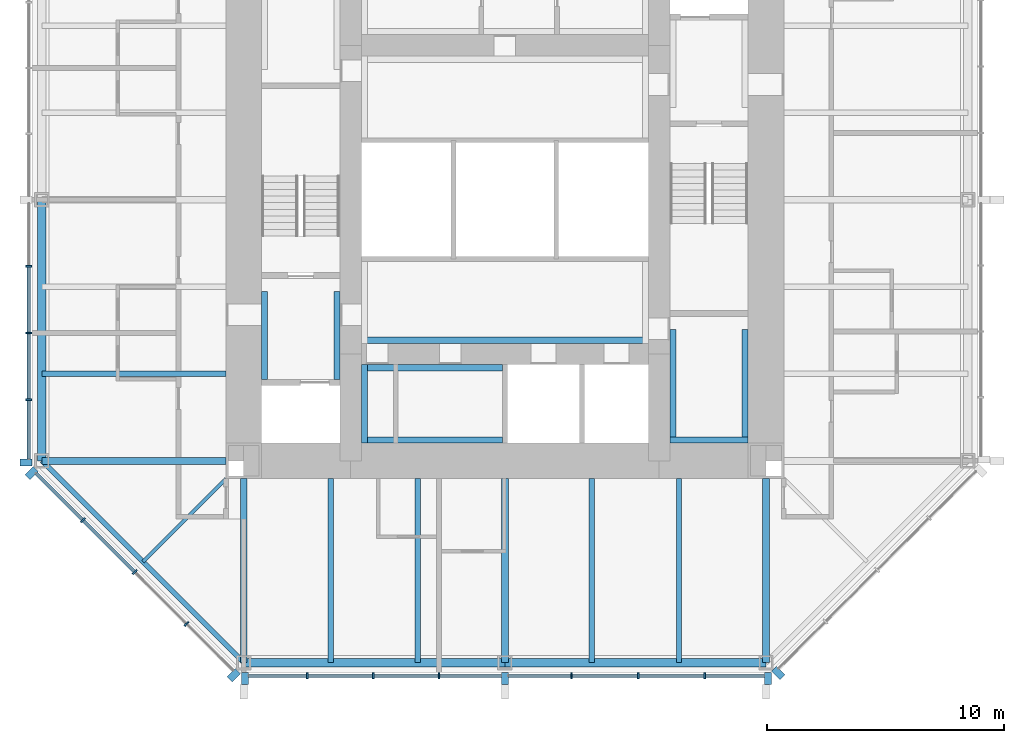
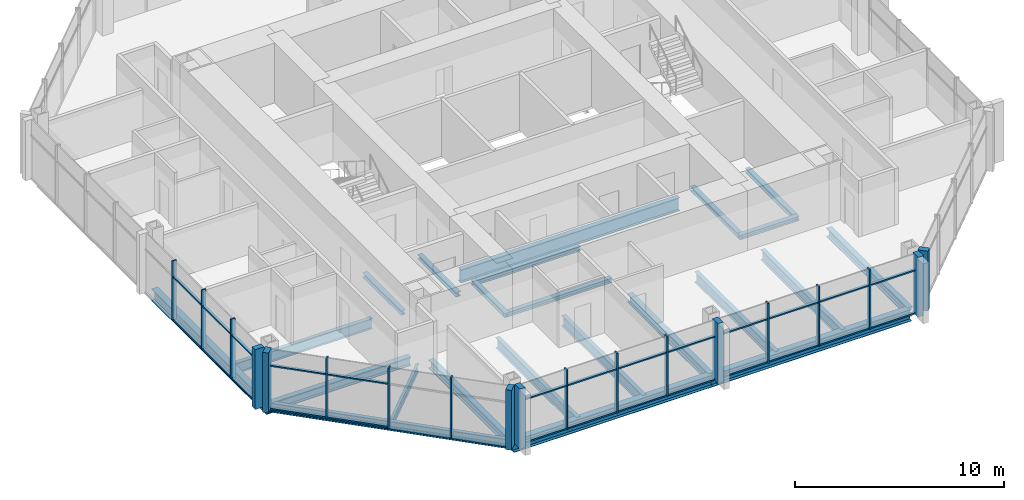
# One storey, part 2 of 11: 45 members, 23 beams, 4 elements without a shape of their own.
"""IFC4 building model written with IfcOpenShell, lengths in metres."""

from ifc_helpers import new_model, si_unit, direction, frame, origin, origin_2d, place, context, subcontext, project, spatial, rectangle, i_section, extrude, material, material_profile, profile_set, type_object, element, aggregate, save


model = new_model("IFC4")

# Units and contexts
model_context = context("Model", 3, precision=1e-05, world=origin(), true_north=direction((0.0, 1.0)))
body_context = subcontext(model_context, "Body", "Model", "MODEL_VIEW")
ifc_project = project(units=[si_unit("LENGTHUNIT", "METRE"), si_unit("AREAUNIT", "SQUARE_METRE"), si_unit("VOLUMEUNIT", "CUBIC_METRE"), si_unit("PLANEANGLEUNIT", "RADIAN"), si_unit("MASSUNIT", "GRAM", prefix="KILO")], contexts=[model_context])

# Site, building, storey
site_placement = place(None, origin())
site = spatial("IfcSite", under=ifc_project, at=site_placement, CompositionType="ELEMENT")
building_placement = place(site_placement, origin())
building = spatial("IfcBuilding", under=site, at=building_placement, Name="Trevanion Tower", CompositionType="ELEMENT")
storey_placement = place(building_placement, frame((0.0, 0.0, 222.199951171875)))
storey = spatial("IfcBuildingStorey", under=building, at=storey_placement, Name="L53", CompositionType="ELEMENT", Elevation=222.199951171875)

# Beams
ifc_material_1 = material(Name="Steel ASTM A992 Grade 50", Category="steel")
ifc_material_profile_1 = material_profile(ifc_material_1, i_section(OverallWidth=0.228271484375, OverallDepth=0.607177734375, WebThickness=0.01123046875, FlangeThickness=0.017333984375, at=origin_2d()), Name="W24X76")
ifc_profile_set_1 = profile_set([ifc_material_profile_1], Name="Steel ASTM A992 Grade 50")
beam_type_1 = type_object("IfcBeamType", Name="B11 W24X76", PredefinedType="BEAM", material=ifc_profile_set_1)
for number, where, z_axis, x_axis, name in (
    (1, (-11.75, -7.333251953125, -0.493408203125), (-1.0, 0.0, 0.0), (0.0, -1.0, 0.0), "B11 L53"),
    (2, (-7.333251953125, -11.75, -0.493408203125), (0.0, -1.0, 0.0), (1.0, 0.0, 0.0), "B11 L53"),
    (3, (-3.666748046875, -11.75, -0.493408203125), (0.0, -1.0, 0.0), (1.0, 0.0, 0.0), "B11 L53"),
    (4, (3.666748046875, -11.75, -0.493408203125), (0.0, -1.0, 0.0), (1.0, 0.0, 0.0), "B11 L53"),
    (5, (7.333251953125, -11.75, -0.493408203125), (0.0, -1.0, 0.0), (1.0, 0.0, 0.0), "B11 L53"),
):
    element("IfcBeam", number, at=place(storey_placement, frame(where, z_axis=z_axis, x_axis=x_axis)), inside=storey, type_object=beam_type_1, Name=name, PredefinedType="BEAM", context=body_context, shape_type="SweptSolid", body=[
        extrude(i_section(OverallWidth=0.228271484375, OverallDepth=0.607177734375, WebThickness=0.01123046875, FlangeThickness=0.017333984375, at=origin_2d()), origin(), (0.0, 0.0, 1.0), 7.75),
    ])
ifc_material_2 = material(Name="Steel ASTM A992 Grade 50", Category="steel")
ifc_material_profile_2 = material_profile(ifc_material_2, i_section(OverallWidth=0.15234375, OverallDepth=0.449462890625, WebThickness=0.007568359375, FlangeThickness=0.0107421875, at=origin_2d()), Name="W18X35")
ifc_profile_set_2 = profile_set([ifc_material_profile_2], Name="Steel ASTM A992 Grade 50")
beam_type_2 = type_object("IfcBeamType", Name="B12 W18X35", PredefinedType="BEAM", material=ifc_profile_set_2)
beam_1_placement = place(storey_placement, frame((-11.75, -11.75, -0.414794921875), z_axis=(-0.707106781187, -0.707106781187, 0.0), x_axis=(0.707106781187, -0.707106781187, 0.0)))
element("IfcBeam", 6, at=beam_1_placement, inside=storey, type_object=beam_type_2, Name="B12 L53", PredefinedType="BEAM", context=body_context, shape_type="SweptSolid", body=[
    extrude(i_section(OverallWidth=0.15234375, OverallDepth=0.449462890625, WebThickness=0.007568359375, FlangeThickness=0.0107421875, at=origin_2d()), origin(), (0.0, 0.0, 1.0), 4.94970703125),
])

# Curtain wall, members
ifc_material_3 = material(Name="Aluminium and glass", Category="aluminium")
curtain_wall_type = type_object("IfcCurtainWallType", Name="CW3 curtain wall", PredefinedType="USERDEFINED", material=ifc_material_3)
curtain_wall_1_placement = place(storey_placement, origin())
curtain_wall_1 = element("IfcCurtainWall", 7, at=curtain_wall_1_placement, inside=storey, type_object=curtain_wall_type, Name="CW3 L53 4", ObjectType="UNITISED CURTAIN WALL", PredefinedType="USERDEFINED")
ifc_material_4 = material(Name="Aluminium extrusion, anodised bronze", Category="aluminium")
ifc_material_profile_3 = material_profile(ifc_material_4, rectangle(XDim=0.074951171875, YDim=0.25, at=origin_2d()), Name="CW3 mullion")
ifc_profile_set_3 = profile_set([ifc_material_profile_3], Name="Aluminium extrusion, anodised bronze")
member_type_1 = type_object("IfcMemberType", Name="CW3 mullion", PredefinedType="MULLION", material=ifc_profile_set_3)
member_1_placement = place(storey_placement, frame((-20.050048828125, -2.806884765625, -0.18994140625), z_axis=(0.0, 0.0, 1.0), x_axis=(0.0, -1.0, 0.0)))
member_1 = element("IfcMember", 8, at=member_1_placement, type_object=member_type_1, Name="CW3 mullion 6", PredefinedType="MULLION", context=body_context, shape_type="SweptSolid", body=[
    extrude(rectangle(XDim=0.074951171875, YDim=0.25, at=origin_2d()), origin(), (0.0, 0.0, 1.0), 3.5),
])
member_2_placement = place(storey_placement, frame((-20.050048828125, -5.614013671875, -0.18994140625), z_axis=(0.0, 0.0, 1.0), x_axis=(0.0, -1.0, 0.0)))
member_2 = element("IfcMember", 9, at=member_2_placement, type_object=member_type_1, Name="CW3 mullion 7", PredefinedType="MULLION", context=body_context, shape_type="SweptSolid", body=[
    extrude(rectangle(XDim=0.074951171875, YDim=0.25, at=origin_2d()), origin(), (0.0, 0.0, 1.0), 3.5),
])
member_3_placement = place(storey_placement, frame((-20.050048828125, -8.4208984375, -0.18994140625), z_axis=(0.0, 0.0, 1.0), x_axis=(0.0, -1.0, 0.0)))
member_3 = element("IfcMember", 10, at=member_3_placement, type_object=member_type_1, Name="CW3 mullion 8", PredefinedType="MULLION", context=body_context, shape_type="SweptSolid", body=[
    extrude(rectangle(XDim=0.074951171875, YDim=0.25, at=origin_2d()), origin(), (0.0, 0.0, 1.0), 3.5),
])

curtain_wall_2_placement = place(storey_placement, origin())
curtain_wall_2 = element("IfcCurtainWall", 11, at=curtain_wall_2_placement, inside=storey, type_object=curtain_wall_type, Name="CW3 L53 5", ObjectType="UNITISED CURTAIN WALL", PredefinedType="USERDEFINED")
member_4_placement = place(storey_placement, frame((-17.775390625, -13.502197265625, -0.18994140625), z_axis=(0.0, 0.0, 1.0), x_axis=(0.707106781187, -0.707106781187, 0.0)))
member_4 = element("IfcMember", 12, at=member_4_placement, type_object=member_type_1, Name="CW3 mullion 2", PredefinedType="MULLION", context=body_context, shape_type="SweptSolid", body=[
    extrude(rectangle(XDim=0.074951171875, YDim=0.25, at=origin_2d()), origin(), (0.0, 0.0, 1.0), 3.5),
])
member_5_placement = place(storey_placement, frame((-15.593017578125, -15.684814453125, -0.18994140625), z_axis=(0.0, 0.0, 1.0), x_axis=(0.707106781187, -0.707106781187, 0.0)))
member_5 = element("IfcMember", 13, at=member_5_placement, type_object=member_type_1, Name="CW3 mullion 3", PredefinedType="MULLION", context=body_context, shape_type="SweptSolid", body=[
    extrude(rectangle(XDim=0.074951171875, YDim=0.25, at=origin_2d()), origin(), (0.0, 0.0, 1.0), 3.5),
])
member_6_placement = place(storey_placement, frame((-13.410400390625, -17.867431640625, -0.18994140625), z_axis=(0.0, 0.0, 1.0), x_axis=(0.707106781187, -0.707106781187, 0.0)))
member_6 = element("IfcMember", 14, at=member_6_placement, type_object=member_type_1, Name="CW3 mullion 4", PredefinedType="MULLION", context=body_context, shape_type="SweptSolid", body=[
    extrude(rectangle(XDim=0.074951171875, YDim=0.25, at=origin_2d()), origin(), (0.0, 0.0, 1.0), 3.5),
])

curtain_wall_3_placement = place(storey_placement, origin())
curtain_wall_3 = element("IfcCurtainWall", 15, at=curtain_wall_3_placement, inside=storey, type_object=curtain_wall_type, Name="CW3 L53 6", ObjectType="UNITISED CURTAIN WALL", PredefinedType="USERDEFINED")
member_7_placement = place(storey_placement, frame((-8.323486328125, -20.050048828125, -0.18994140625), z_axis=(0.0, 0.0, 1.0), x_axis=(1.0, 0.0, 0.0)))
member_7 = element("IfcMember", 16, at=member_7_placement, type_object=member_type_1, Name="CW3 mullion 2", PredefinedType="MULLION", context=body_context, shape_type="SweptSolid", body=[
    extrude(rectangle(XDim=0.074951171875, YDim=0.25, at=origin_2d()), origin(), (0.0, 0.0, 1.0), 3.5),
])
member_8_placement = place(storey_placement, frame((-5.548828125, -20.050048828125, -0.18994140625), z_axis=(0.0, 0.0, 1.0), x_axis=(1.0, 0.0, 0.0)))
member_8 = element("IfcMember", 17, at=member_8_placement, type_object=member_type_1, Name="CW3 mullion 3", PredefinedType="MULLION", context=body_context, shape_type="SweptSolid", body=[
    extrude(rectangle(XDim=0.074951171875, YDim=0.25, at=origin_2d()), origin(), (0.0, 0.0, 1.0), 3.5),
])
member_9_placement = place(storey_placement, frame((-2.7744140625, -20.050048828125, -0.18994140625), z_axis=(0.0, 0.0, 1.0), x_axis=(1.0, 0.0, 0.0)))
member_9 = element("IfcMember", 18, at=member_9_placement, type_object=member_type_1, Name="CW3 mullion 4", PredefinedType="MULLION", context=body_context, shape_type="SweptSolid", body=[
    extrude(rectangle(XDim=0.074951171875, YDim=0.25, at=origin_2d()), origin(), (0.0, 0.0, 1.0), 3.5),
])
member_10_placement = place(storey_placement, frame((2.806884765625, -20.050048828125, -0.18994140625), z_axis=(0.0, 0.0, 1.0), x_axis=(1.0, 0.0, 0.0)))
member_10 = element("IfcMember", 19, at=member_10_placement, type_object=member_type_1, Name="CW3 mullion 6", PredefinedType="MULLION", context=body_context, shape_type="SweptSolid", body=[
    extrude(rectangle(XDim=0.074951171875, YDim=0.25, at=origin_2d()), origin(), (0.0, 0.0, 1.0), 3.5),
])
member_11_placement = place(storey_placement, frame((5.614013671875, -20.050048828125, -0.18994140625), z_axis=(0.0, 0.0, 1.0), x_axis=(1.0, 0.0, 0.0)))
member_11 = element("IfcMember", 20, at=member_11_placement, type_object=member_type_1, Name="CW3 mullion 7", PredefinedType="MULLION", context=body_context, shape_type="SweptSolid", body=[
    extrude(rectangle(XDim=0.074951171875, YDim=0.25, at=origin_2d()), origin(), (0.0, 0.0, 1.0), 3.5),
])
member_12_placement = place(storey_placement, frame((8.4208984375, -20.050048828125, -0.18994140625), z_axis=(0.0, 0.0, 1.0), x_axis=(1.0, 0.0, 0.0)))
member_12 = element("IfcMember", 21, at=member_12_placement, type_object=member_type_1, Name="CW3 mullion 8", PredefinedType="MULLION", context=body_context, shape_type="SweptSolid", body=[
    extrude(rectangle(XDim=0.074951171875, YDim=0.25, at=origin_2d()), origin(), (0.0, 0.0, 1.0), 3.5),
])

# Member
ifc_material_5 = material(Name="Aluminium extrusion, anodised bronze", Category="aluminium")
ifc_material_profile_4 = material_profile(ifc_material_5, rectangle(XDim=0.300048828125, YDim=0.5, at=origin_2d()), Name="CW3 pier mullion")
ifc_profile_set_4 = profile_set([ifc_material_profile_4], Name="Aluminium extrusion, anodised bronze")
member_type_2 = type_object("IfcMemberType", Name="CW3 pier mullion", PredefinedType="MULLION", material=ifc_profile_set_4)
member_13_placement = place(storey_placement, frame((-20.175048828125, -11.077880859375, -0.18994140625), z_axis=(0.0, 0.0, 1.0), x_axis=(0.0, -1.0, 0.0)))
member_13 = element("IfcMember", 22, at=member_13_placement, type_object=member_type_2, Name="CW3 pier mullion 9", PredefinedType="MULLION", context=body_context, shape_type="SweptSolid", body=[
    extrude(rectangle(XDim=0.300048828125, YDim=0.5, at=origin_2d()), origin(), (0.0, 0.0, 1.0), 3.5),
])

member_14_placement = place(storey_placement, frame((-19.9404296875, -11.51416015625, -0.18994140625), z_axis=(0.0, 0.0, 1.0), x_axis=(0.707106781187, -0.707106781187, 0.0)))
member_14 = element("IfcMember", 23, at=member_14_placement, type_object=member_type_2, Name="CW3 pier mullion 1", PredefinedType="MULLION", context=body_context, shape_type="SweptSolid", body=[
    extrude(rectangle(XDim=0.300048828125, YDim=0.5, at=origin_2d()), origin(), (0.0, 0.0, 1.0), 3.5),
])

member_15_placement = place(storey_placement, frame((-11.42236328125, -20.0322265625, -0.18994140625), z_axis=(0.0, 0.0, 1.0), x_axis=(0.707106781187, -0.707106781187, 0.0)))
member_15 = element("IfcMember", 24, at=member_15_placement, type_object=member_type_2, Name="CW3 pier mullion 5", PredefinedType="MULLION", context=body_context, shape_type="SweptSolid", body=[
    extrude(rectangle(XDim=0.300048828125, YDim=0.5, at=origin_2d()), origin(), (0.0, 0.0, 1.0), 3.5),
])

member_16_placement = place(storey_placement, frame((-10.94775390625, -20.175048828125, -0.18994140625), z_axis=(0.0, 0.0, 1.0), x_axis=(1.0, 0.0, 0.0)))
member_16 = element("IfcMember", 25, at=member_16_placement, type_object=member_type_2, Name="CW3 pier mullion 1", PredefinedType="MULLION", context=body_context, shape_type="SweptSolid", body=[
    extrude(rectangle(XDim=0.300048828125, YDim=0.5, at=origin_2d()), origin(), (0.0, 0.0, 1.0), 3.5),
])

member_17_placement = place(storey_placement, frame((0.0, -20.175048828125, -0.18994140625), z_axis=(0.0, 0.0, 1.0), x_axis=(1.0, 0.0, 0.0)))
member_17 = element("IfcMember", 26, at=member_17_placement, type_object=member_type_2, Name="CW3 pier mullion 5", PredefinedType="MULLION", context=body_context, shape_type="SweptSolid", body=[
    extrude(rectangle(XDim=0.300048828125, YDim=0.5, at=origin_2d()), origin(), (0.0, 0.0, 1.0), 3.5),
])

member_18_placement = place(storey_placement, frame((11.077880859375, -20.175048828125, -0.18994140625), z_axis=(0.0, 0.0, 1.0), x_axis=(1.0, 0.0, 0.0)))
member_18 = element("IfcMember", 27, at=member_18_placement, type_object=member_type_2, Name="CW3 pier mullion 9", PredefinedType="MULLION", context=body_context, shape_type="SweptSolid", body=[
    extrude(rectangle(XDim=0.300048828125, YDim=0.5, at=origin_2d()), origin(), (0.0, 0.0, 1.0), 3.5),
])

# Curtain wall, member
curtain_wall_4_placement = place(storey_placement, origin())
curtain_wall_4 = element("IfcCurtainWall", 28, at=curtain_wall_4_placement, inside=storey, type_object=curtain_wall_type, Name="CW3 L53 7", ObjectType="UNITISED CURTAIN WALL", PredefinedType="USERDEFINED")
member_19_placement = place(storey_placement, frame((11.51416015625, -19.9404296875, -0.18994140625), z_axis=(0.0, 0.0, 1.0), x_axis=(0.707106781187, 0.707106781187, 0.0)))
member_19 = element("IfcMember", 29, at=member_19_placement, type_object=member_type_2, Name="CW3 pier mullion 1", PredefinedType="MULLION", context=body_context, shape_type="SweptSolid", body=[
    extrude(rectangle(XDim=0.300048828125, YDim=0.5, at=origin_2d()), origin(), (0.0, 0.0, 1.0), 3.5),
])
aggregate(curtain_wall_4, [member_19])

# Member
ifc_material_6 = material(Name="Aluminium extrusion, anodised bronze", Category="aluminium")
ifc_material_profile_5 = material_profile(ifc_material_6, rectangle(XDim=0.14990234375, YDim=0.074951171875, at=origin_2d()), Name="CW3 transom")
ifc_profile_set_5 = profile_set([ifc_material_profile_5], Name="Aluminium extrusion, anodised bronze")
member_type_3 = type_object("IfcMemberType", Name="CW3 transom", PredefinedType="USERDEFINED", material=ifc_profile_set_5)
member_20_placement = place(storey_placement, frame((-20.050048828125, -2.844482421875, -0.15234375), z_axis=(0.0, -1.0, 0.0), x_axis=(1.0, 0.0, 0.0)))
member_20 = element("IfcMember", 30, at=member_20_placement, type_object=member_type_3, Name="CW3 transom 6.1", ObjectType="TRANSOM", PredefinedType="USERDEFINED", context=body_context, shape_type="SweptSolid", body=[
    extrude(rectangle(XDim=0.14990234375, YDim=0.074951171875, at=origin_2d()), origin(), (0.0, 0.0, 1.0), 2.73193359375),
])

member_21_placement = place(storey_placement, frame((-20.050048828125, -2.844482421875, 2.360107421875), z_axis=(0.0, -1.0, 0.0), x_axis=(1.0, 0.0, 0.0)))
member_21 = element("IfcMember", 31, at=member_21_placement, type_object=member_type_3, Name="CW3 transom 6.2", ObjectType="TRANSOM", PredefinedType="USERDEFINED", context=body_context, shape_type="SweptSolid", body=[
    extrude(rectangle(XDim=0.14990234375, YDim=0.074951171875, at=origin_2d()), origin(), (0.0, 0.0, 1.0), 2.73193359375),
])

member_22_placement = place(storey_placement, frame((-20.050048828125, -5.6513671875, -0.15234375), z_axis=(0.0, -1.0, 0.0), x_axis=(1.0, 0.0, 0.0)))
member_22 = element("IfcMember", 32, at=member_22_placement, type_object=member_type_3, Name="CW3 transom 7.1", ObjectType="TRANSOM", PredefinedType="USERDEFINED", context=body_context, shape_type="SweptSolid", body=[
    extrude(rectangle(XDim=0.14990234375, YDim=0.074951171875, at=origin_2d()), origin(), (0.0, 0.0, 1.0), 2.73193359375),
])

member_23_placement = place(storey_placement, frame((-20.050048828125, -5.6513671875, 2.360107421875), z_axis=(0.0, -1.0, 0.0), x_axis=(1.0, 0.0, 0.0)))
member_23 = element("IfcMember", 33, at=member_23_placement, type_object=member_type_3, Name="CW3 transom 7.2", ObjectType="TRANSOM", PredefinedType="USERDEFINED", context=body_context, shape_type="SweptSolid", body=[
    extrude(rectangle(XDim=0.14990234375, YDim=0.074951171875, at=origin_2d()), origin(), (0.0, 0.0, 1.0), 2.73193359375),
])

member_24_placement = place(storey_placement, frame((-20.050048828125, -8.45849609375, -0.15234375), z_axis=(0.0, -1.0, 0.0), x_axis=(1.0, 0.0, 0.0)))
member_24 = element("IfcMember", 34, at=member_24_placement, type_object=member_type_3, Name="CW3 transom 8.1", ObjectType="TRANSOM", PredefinedType="USERDEFINED", context=body_context, shape_type="SweptSolid", body=[
    extrude(rectangle(XDim=0.14990234375, YDim=0.074951171875, at=origin_2d()), origin(), (0.0, 0.0, 1.0), 2.46923828125),
])

member_25_placement = place(storey_placement, frame((-20.050048828125, -8.45849609375, 2.360107421875), z_axis=(0.0, -1.0, 0.0), x_axis=(1.0, 0.0, 0.0)))
member_25 = element("IfcMember", 35, at=member_25_placement, type_object=member_type_3, Name="CW3 transom 8.2", ObjectType="TRANSOM", PredefinedType="USERDEFINED", context=body_context, shape_type="SweptSolid", body=[
    extrude(rectangle(XDim=0.14990234375, YDim=0.074951171875, at=origin_2d()), origin(), (0.0, 0.0, 1.0), 2.46923828125),
])

aggregate(curtain_wall_1, [member_1, member_2, member_3, member_13, member_20, member_21, member_22, member_23, member_24, member_25])

member_26_placement = place(storey_placement, frame((-19.745849609375, -11.531982421875, -0.15234375), z_axis=(0.707106781187, -0.707106781187, 0.0), x_axis=(0.707106781187, 0.707106781187, 0.0)))
member_26 = element("IfcMember", 36, at=member_26_placement, type_object=member_type_3, Name="CW3 transom 1.1", ObjectType="TRANSOM", PredefinedType="USERDEFINED", context=body_context, shape_type="SweptSolid", body=[
    extrude(rectangle(XDim=0.14990234375, YDim=0.074951171875, at=origin_2d()), origin(), (0.0, 0.0, 1.0), 2.7490234375),
])

member_27_placement = place(storey_placement, frame((-19.745849609375, -11.531982421875, 2.360107421875), z_axis=(0.707106781187, -0.707106781187, 0.0), x_axis=(0.707106781187, 0.707106781187, 0.0)))
member_27 = element("IfcMember", 37, at=member_27_placement, type_object=member_type_3, Name="CW3 transom 1.2", ObjectType="TRANSOM", PredefinedType="USERDEFINED", context=body_context, shape_type="SweptSolid", body=[
    extrude(rectangle(XDim=0.14990234375, YDim=0.074951171875, at=origin_2d()), origin(), (0.0, 0.0, 1.0), 2.7490234375),
])

member_28_placement = place(storey_placement, frame((-17.7490234375, -13.52880859375, -0.15234375), z_axis=(0.707106781187, -0.707106781187, 0.0), x_axis=(0.707106781187, 0.707106781187, 0.0)))
member_28 = element("IfcMember", 38, at=member_28_placement, type_object=member_type_3, Name="CW3 transom 2.1", ObjectType="TRANSOM", PredefinedType="USERDEFINED", context=body_context, shape_type="SweptSolid", body=[
    extrude(rectangle(XDim=0.14990234375, YDim=0.074951171875, at=origin_2d()), origin(), (0.0, 0.0, 1.0), 3.01171875),
])

member_29_placement = place(storey_placement, frame((-17.7490234375, -13.52880859375, 2.360107421875), z_axis=(0.707106781187, -0.707106781187, 0.0), x_axis=(0.707106781187, 0.707106781187, 0.0)))
member_29 = element("IfcMember", 39, at=member_29_placement, type_object=member_type_3, Name="CW3 transom 2.2", ObjectType="TRANSOM", PredefinedType="USERDEFINED", context=body_context, shape_type="SweptSolid", body=[
    extrude(rectangle(XDim=0.14990234375, YDim=0.074951171875, at=origin_2d()), origin(), (0.0, 0.0, 1.0), 3.01171875),
])

aggregate(curtain_wall_2, [member_14, member_4, member_5, member_6, member_15, member_26, member_27, member_28, member_29])

member_30_placement = place(storey_placement, frame((-10.7978515625, -20.050048828125, -0.15234375), z_axis=(1.0, 0.0, 0.0), x_axis=(0.0, 1.0, 0.0)))
member_30 = element("IfcMember", 40, at=member_30_placement, type_object=member_type_3, Name="CW3 transom 1.1", ObjectType="TRANSOM", PredefinedType="USERDEFINED", context=body_context, shape_type="SweptSolid", body=[
    extrude(rectangle(XDim=0.14990234375, YDim=0.074951171875, at=origin_2d()), origin(), (0.0, 0.0, 1.0), 2.43701171875),
])

member_31_placement = place(storey_placement, frame((-10.7978515625, -20.050048828125, 2.360107421875), z_axis=(1.0, 0.0, 0.0), x_axis=(0.0, 1.0, 0.0)))
member_31 = element("IfcMember", 41, at=member_31_placement, type_object=member_type_3, Name="CW3 transom 1.2", ObjectType="TRANSOM", PredefinedType="USERDEFINED", context=body_context, shape_type="SweptSolid", body=[
    extrude(rectangle(XDim=0.14990234375, YDim=0.074951171875, at=origin_2d()), origin(), (0.0, 0.0, 1.0), 2.43701171875),
])

member_32_placement = place(storey_placement, frame((-8.285888671875, -20.050048828125, -0.15234375), z_axis=(1.0, 0.0, 0.0), x_axis=(0.0, 1.0, 0.0)))
member_32 = element("IfcMember", 42, at=member_32_placement, type_object=member_type_3, Name="CW3 transom 2.1", ObjectType="TRANSOM", PredefinedType="USERDEFINED", context=body_context, shape_type="SweptSolid", body=[
    extrude(rectangle(XDim=0.14990234375, YDim=0.074951171875, at=origin_2d()), origin(), (0.0, 0.0, 1.0), 2.699462890625),
])

member_33_placement = place(storey_placement, frame((-8.285888671875, -20.050048828125, 2.360107421875), z_axis=(1.0, 0.0, 0.0), x_axis=(0.0, 1.0, 0.0)))
member_33 = element("IfcMember", 43, at=member_33_placement, type_object=member_type_3, Name="CW3 transom 2.2", ObjectType="TRANSOM", PredefinedType="USERDEFINED", context=body_context, shape_type="SweptSolid", body=[
    extrude(rectangle(XDim=0.14990234375, YDim=0.074951171875, at=origin_2d()), origin(), (0.0, 0.0, 1.0), 2.699462890625),
])

member_34_placement = place(storey_placement, frame((-5.511474609375, -20.050048828125, -0.15234375), z_axis=(1.0, 0.0, 0.0), x_axis=(0.0, 1.0, 0.0)))
member_34 = element("IfcMember", 44, at=member_34_placement, type_object=member_type_3, Name="CW3 transom 3.1", ObjectType="TRANSOM", PredefinedType="USERDEFINED", context=body_context, shape_type="SweptSolid", body=[
    extrude(rectangle(XDim=0.14990234375, YDim=0.074951171875, at=origin_2d()), origin(), (0.0, 0.0, 1.0), 2.699462890625),
])

member_35_placement = place(storey_placement, frame((-5.511474609375, -20.050048828125, 2.360107421875), z_axis=(1.0, 0.0, 0.0), x_axis=(0.0, 1.0, 0.0)))
member_35 = element("IfcMember", 45, at=member_35_placement, type_object=member_type_3, Name="CW3 transom 3.2", ObjectType="TRANSOM", PredefinedType="USERDEFINED", context=body_context, shape_type="SweptSolid", body=[
    extrude(rectangle(XDim=0.14990234375, YDim=0.074951171875, at=origin_2d()), origin(), (0.0, 0.0, 1.0), 2.699462890625),
])

member_36_placement = place(storey_placement, frame((-2.737060546875, -20.050048828125, -0.15234375), z_axis=(1.0, 0.0, 0.0), x_axis=(0.0, 1.0, 0.0)))
member_36 = element("IfcMember", 46, at=member_36_placement, type_object=member_type_3, Name="CW3 transom 4.1", ObjectType="TRANSOM", PredefinedType="USERDEFINED", context=body_context, shape_type="SweptSolid", body=[
    extrude(rectangle(XDim=0.14990234375, YDim=0.074951171875, at=origin_2d()), origin(), (0.0, 0.0, 1.0), 2.587158203125),
])

member_37_placement = place(storey_placement, frame((-2.737060546875, -20.050048828125, 2.360107421875), z_axis=(1.0, 0.0, 0.0), x_axis=(0.0, 1.0, 0.0)))
member_37 = element("IfcMember", 47, at=member_37_placement, type_object=member_type_3, Name="CW3 transom 4.2", ObjectType="TRANSOM", PredefinedType="USERDEFINED", context=body_context, shape_type="SweptSolid", body=[
    extrude(rectangle(XDim=0.14990234375, YDim=0.074951171875, at=origin_2d()), origin(), (0.0, 0.0, 1.0), 2.587158203125),
])

member_38_placement = place(storey_placement, frame((0.14990234375, -20.050048828125, -0.15234375), z_axis=(1.0, 0.0, 0.0), x_axis=(0.0, 1.0, 0.0)))
member_38 = element("IfcMember", 48, at=member_38_placement, type_object=member_type_3, Name="CW3 transom 5.1", ObjectType="TRANSOM", PredefinedType="USERDEFINED", context=body_context, shape_type="SweptSolid", body=[
    extrude(rectangle(XDim=0.14990234375, YDim=0.074951171875, at=origin_2d()), origin(), (0.0, 0.0, 1.0), 2.619384765625),
])

member_39_placement = place(storey_placement, frame((0.14990234375, -20.050048828125, 2.360107421875), z_axis=(1.0, 0.0, 0.0), x_axis=(0.0, 1.0, 0.0)))
member_39 = element("IfcMember", 49, at=member_39_placement, type_object=member_type_3, Name="CW3 transom 5.2", ObjectType="TRANSOM", PredefinedType="USERDEFINED", context=body_context, shape_type="SweptSolid", body=[
    extrude(rectangle(XDim=0.14990234375, YDim=0.074951171875, at=origin_2d()), origin(), (0.0, 0.0, 1.0), 2.619384765625),
])

member_40_placement = place(storey_placement, frame((2.844482421875, -20.050048828125, -0.15234375), z_axis=(1.0, 0.0, 0.0), x_axis=(0.0, 1.0, 0.0)))
member_40 = element("IfcMember", 50, at=member_40_placement, type_object=member_type_3, Name="CW3 transom 6.1", ObjectType="TRANSOM", PredefinedType="USERDEFINED", context=body_context, shape_type="SweptSolid", body=[
    extrude(rectangle(XDim=0.14990234375, YDim=0.074951171875, at=origin_2d()), origin(), (0.0, 0.0, 1.0), 2.73193359375),
])

member_41_placement = place(storey_placement, frame((2.844482421875, -20.050048828125, 2.360107421875), z_axis=(1.0, 0.0, 0.0), x_axis=(0.0, 1.0, 0.0)))
member_41 = element("IfcMember", 51, at=member_41_placement, type_object=member_type_3, Name="CW3 transom 6.2", ObjectType="TRANSOM", PredefinedType="USERDEFINED", context=body_context, shape_type="SweptSolid", body=[
    extrude(rectangle(XDim=0.14990234375, YDim=0.074951171875, at=origin_2d()), origin(), (0.0, 0.0, 1.0), 2.73193359375),
])

member_42_placement = place(storey_placement, frame((5.6513671875, -20.050048828125, -0.15234375), z_axis=(1.0, 0.0, 0.0), x_axis=(0.0, 1.0, 0.0)))
member_42 = element("IfcMember", 52, at=member_42_placement, type_object=member_type_3, Name="CW3 transom 7.1", ObjectType="TRANSOM", PredefinedType="USERDEFINED", context=body_context, shape_type="SweptSolid", body=[
    extrude(rectangle(XDim=0.14990234375, YDim=0.074951171875, at=origin_2d()), origin(), (0.0, 0.0, 1.0), 2.73193359375),
])

member_43_placement = place(storey_placement, frame((5.6513671875, -20.050048828125, 2.360107421875), z_axis=(1.0, 0.0, 0.0), x_axis=(0.0, 1.0, 0.0)))
member_43 = element("IfcMember", 53, at=member_43_placement, type_object=member_type_3, Name="CW3 transom 7.2", ObjectType="TRANSOM", PredefinedType="USERDEFINED", context=body_context, shape_type="SweptSolid", body=[
    extrude(rectangle(XDim=0.14990234375, YDim=0.074951171875, at=origin_2d()), origin(), (0.0, 0.0, 1.0), 2.73193359375),
])

member_44_placement = place(storey_placement, frame((8.45849609375, -20.050048828125, -0.15234375), z_axis=(1.0, 0.0, 0.0), x_axis=(0.0, 1.0, 0.0)))
member_44 = element("IfcMember", 54, at=member_44_placement, type_object=member_type_3, Name="CW3 transom 8.1", ObjectType="TRANSOM", PredefinedType="USERDEFINED", context=body_context, shape_type="SweptSolid", body=[
    extrude(rectangle(XDim=0.14990234375, YDim=0.074951171875, at=origin_2d()), origin(), (0.0, 0.0, 1.0), 2.46923828125),
])

member_45_placement = place(storey_placement, frame((8.45849609375, -20.050048828125, 2.360107421875), z_axis=(1.0, 0.0, 0.0), x_axis=(0.0, 1.0, 0.0)))
member_45 = element("IfcMember", 55, at=member_45_placement, type_object=member_type_3, Name="CW3 transom 8.2", ObjectType="TRANSOM", PredefinedType="USERDEFINED", context=body_context, shape_type="SweptSolid", body=[
    extrude(rectangle(XDim=0.14990234375, YDim=0.074951171875, at=origin_2d()), origin(), (0.0, 0.0, 1.0), 2.46923828125),
])

aggregate(curtain_wall_3, [member_16, member_7, member_8, member_9, member_17, member_10, member_11, member_12, member_18, member_30, member_31, member_32, member_33, member_34, member_35, member_36, member_37, member_38, member_39, member_40, member_41, member_42, member_43, member_44, member_45])

# Beams
ifc_material_7 = material(Name="Steel ASTM A992 Grade 50", Category="steel")
ifc_material_profile_6 = material_profile(ifc_material_7, i_section(OverallWidth=0.28955078125, OverallDepth=0.508056640625, WebThickness=0.022705078125, FlangeThickness=0.040283203125, at=origin_2d()), Name="W18X175")
ifc_profile_set_6 = profile_set([ifc_material_profile_6], Name="Steel ASTM A992 Grade 50")
beam_type_3 = type_object("IfcBeamType", Name="G6 W18X175", PredefinedType="BEAM", material=ifc_profile_set_6)
for number, where, z_axis, x_axis, name in (
    (56, (-11.75, -11.0, -0.44384765625), (-1.0, 0.0, 0.0), (0.0, -1.0, 0.0), "G6 L53"),
    (57, (-11.0, -11.75, -0.44384765625), (0.0, -1.0, 0.0), (1.0, 0.0, 0.0), "G6 L53"),
    (58, (0.0, -11.75, -0.44384765625), (0.0, -1.0, 0.0), (1.0, 0.0, 0.0), "G6 L53"),
    (59, (11.0, -11.75, -0.44384765625), (0.0, -1.0, 0.0), (1.0, 0.0, 0.0), "G6 L53"),
):
    element("IfcBeam", number, at=place(storey_placement, frame(where, z_axis=z_axis, x_axis=x_axis)), inside=storey, type_object=beam_type_3, Name=name, PredefinedType="BEAM", context=body_context, shape_type="SweptSolid", body=[
        extrude(i_section(OverallWidth=0.28955078125, OverallDepth=0.508056640625, WebThickness=0.022705078125, FlangeThickness=0.040283203125, at=origin_2d()), origin(), (0.0, 0.0, 1.0), 7.75),
    ])
ifc_material_8 = material(Name="Steel ASTM A992 Grade 50", Category="steel")
ifc_material_profile_7 = material_profile(ifc_material_8, i_section(OverallWidth=0.256591796875, OverallDepth=0.26416015625, WebThickness=0.011962890625, FlangeThickness=0.01953125, at=origin_2d()), Name="W10X68")
ifc_profile_set_7 = profile_set([ifc_material_profile_7], Name="Steel ASTM A992 Grade 50")
beam_type_4 = type_object("IfcBeamType", Name="LB1 W10X68", PredefinedType="BEAM", material=ifc_profile_set_7)
for number, where, z_axis, x_axis, name in (
    (60, (-10.12158203125, -7.574951171875, -0.33203125), (0.0, 1.0, 0.0), (-1.0, 0.0, 0.0), "LB1 L53"),
    (61, (-7.078369140625, -7.574951171875, -0.33203125), (0.0, 1.0, 0.0), (-1.0, 0.0, 0.0), "LB1 L53"),
):
    element("IfcBeam", number, at=place(storey_placement, frame(where, z_axis=z_axis, x_axis=x_axis)), inside=storey, type_object=beam_type_4, Name=name, PredefinedType="BEAM", context=body_context, shape_type="SweptSolid", body=[
        extrude(i_section(OverallWidth=0.256591796875, OverallDepth=0.26416015625, WebThickness=0.011962890625, FlangeThickness=0.01953125, at=origin_2d()), origin(), (0.0, 0.0, 1.0), 3.699951171875),
    ])
for number, where, z_axis, x_axis, name in (
    (62, (7.078369140625, -10.25, -0.33203125), (0.0, 1.0, 0.0), (-1.0, 0.0, 0.0), "LB1 L53"),
    (63, (10.12158203125, -10.25, -0.33203125), (0.0, 1.0, 0.0), (-1.0, 0.0, 0.0), "LB1 L53"),
):
    element("IfcBeam", number, at=place(storey_placement, frame(where, z_axis=z_axis, x_axis=x_axis)), inside=storey, type_object=beam_type_4, Name=name, PredefinedType="BEAM", context=body_context, shape_type="SweptSolid", body=[
        extrude(i_section(OverallWidth=0.256591796875, OverallDepth=0.26416015625, WebThickness=0.011962890625, FlangeThickness=0.01953125, at=origin_2d()), origin(), (0.0, 0.0, 1.0), 4.77490234375),
    ])
for number, where, z_axis, x_axis, name in (
    (64, (6.949951171875, -10.12158203125, -0.33203125), (1.0, 0.0, 0.0), (0.0, 1.0, 0.0), "LB1 L53"),
    (65, (-5.921630859375, -10.25, -0.33203125), (0.0, 1.0, 0.0), (-1.0, 0.0, 0.0), "LB1 L53"),
):
    element("IfcBeam", number, at=place(storey_placement, frame(where, z_axis=z_axis, x_axis=x_axis)), inside=storey, type_object=beam_type_4, Name=name, PredefinedType="BEAM", context=body_context, shape_type="SweptSolid", body=[
        extrude(i_section(OverallWidth=0.256591796875, OverallDepth=0.26416015625, WebThickness=0.011962890625, FlangeThickness=0.01953125, at=origin_2d()), origin(), (0.0, 0.0, 1.0), 3.300048828125),
    ])
for number, where, z_axis, x_axis, name in (
    (66, (-6.050048828125, -10.12158203125, -0.33203125), (1.0, 0.0, 0.0), (0.0, 1.0, 0.0), "LB1 L53"),
    (67, (-6.050048828125, -7.078369140625, -0.33203125), (1.0, 0.0, 0.0), (0.0, 1.0, 0.0), "LB1 L53"),
):
    element("IfcBeam", number, at=place(storey_placement, frame(where, z_axis=z_axis, x_axis=x_axis)), inside=storey, type_object=beam_type_4, Name=name, PredefinedType="BEAM", context=body_context, shape_type="SweptSolid", body=[
        extrude(i_section(OverallWidth=0.256591796875, OverallDepth=0.26416015625, WebThickness=0.011962890625, FlangeThickness=0.01953125, at=origin_2d()), origin(), (0.0, 0.0, 1.0), 5.949951171875),
    ])
ifc_material_9 = material(Name="Steel ASTM A992 Grade 50", Category="steel")
ifc_material_profile_8 = material_profile(ifc_material_9, i_section(OverallWidth=0.2666015625, OverallDepth=0.76953125, WebThickness=0.015625, FlangeThickness=0.025390625, at=origin_2d()), Name="W30X132")
ifc_profile_set_8 = profile_set([ifc_material_profile_8], Name="Steel ASTM A992 Grade 50")
beam_type_5 = type_object("IfcBeamType", Name="LB3 W30X132", PredefinedType="BEAM", material=ifc_profile_set_8)
beam_2_placement = place(storey_placement, frame((-6.050048828125, -5.91650390625, -0.584716796875), z_axis=(1.0, 0.0, 0.0), x_axis=(0.0, 1.0, 0.0)))
element("IfcBeam", 68, at=beam_2_placement, inside=storey, type_object=beam_type_5, Name="LB3 L53", PredefinedType="BEAM", context=body_context, shape_type="SweptSolid", body=[
    extrude(i_section(OverallWidth=0.2666015625, OverallDepth=0.76953125, WebThickness=0.015625, FlangeThickness=0.025390625, at=origin_2d()), origin(), (0.0, 0.0, 1.0), 12.10009765625),
])
ifc_material_10 = material(Name="Steel ASTM A992 Grade 50", Category="steel")
ifc_material_profile_9 = material_profile(ifc_material_10, i_section(OverallWidth=0.355712890625, OverallDepth=0.696044921875, WebThickness=0.015380859375, FlangeThickness=0.024658203125, at=origin_2d()), Name="W27X146")
ifc_profile_set_9 = profile_set([ifc_material_profile_9], Name="Steel ASTM A992 Grade 50")
beam_type_6 = type_object("IfcBeamType", Name="SB8 W27X146", PredefinedType="SPANDREL", material=ifc_profile_set_9)
for number, where, z_axis, x_axis, name in (
    (69, (-19.5, 0.0, -0.537841796875), (0.0, -1.0, 0.0), (1.0, 0.0, 0.0), "SB8 L53"),
    (70, (-11.0, -19.5, -0.537841796875), (1.0, 0.0, 0.0), (0.0, 1.0, 0.0), "SB8 L53"),
    (71, (0.0, -19.5, -0.537841796875), (1.0, 0.0, 0.0), (0.0, 1.0, 0.0), "SB8 L53"),
):
    element("IfcBeam", number, at=place(storey_placement, frame(where, z_axis=z_axis, x_axis=x_axis)), inside=storey, type_object=beam_type_6, Name=name, PredefinedType="SPANDREL", context=body_context, shape_type="SweptSolid", body=[
        extrude(i_section(OverallWidth=0.355712890625, OverallDepth=0.696044921875, WebThickness=0.015380859375, FlangeThickness=0.024658203125, at=origin_2d()), origin(), (0.0, 0.0, 1.0), 11.0),
    ])
ifc_material_11 = material(Name="Steel ASTM A992 Grade 50", Category="steel")
ifc_material_profile_10 = material_profile(ifc_material_11, i_section(OverallWidth=0.209228515625, OverallDepth=0.533447265625, WebThickness=0.01025390625, FlangeThickness=0.015625, at=origin_2d()), Name="W21X62")
ifc_profile_set_10 = profile_set([ifc_material_profile_10], Name="Steel ASTM A992 Grade 50")
beam_type_7 = type_object("IfcBeamType", Name="SB9 W21X62", PredefinedType="SPANDREL", material=ifc_profile_set_10)
beam_3_placement = place(storey_placement, frame((-19.5, -11.0, -0.45654296875), z_axis=(0.707106781187, -0.707106781187, 0.0), x_axis=(0.707106781187, 0.707106781187, 0.0)))
element("IfcBeam", 72, at=beam_3_placement, inside=storey, type_object=beam_type_7, Name="SB9 L53", PredefinedType="SPANDREL", context=body_context, shape_type="SweptSolid", body=[
    extrude(i_section(OverallWidth=0.209228515625, OverallDepth=0.533447265625, WebThickness=0.01025390625, FlangeThickness=0.015625, at=origin_2d()), origin(), (0.0, 0.0, 1.0), 12.020751953125),
])

save(model, "model.ifc")
